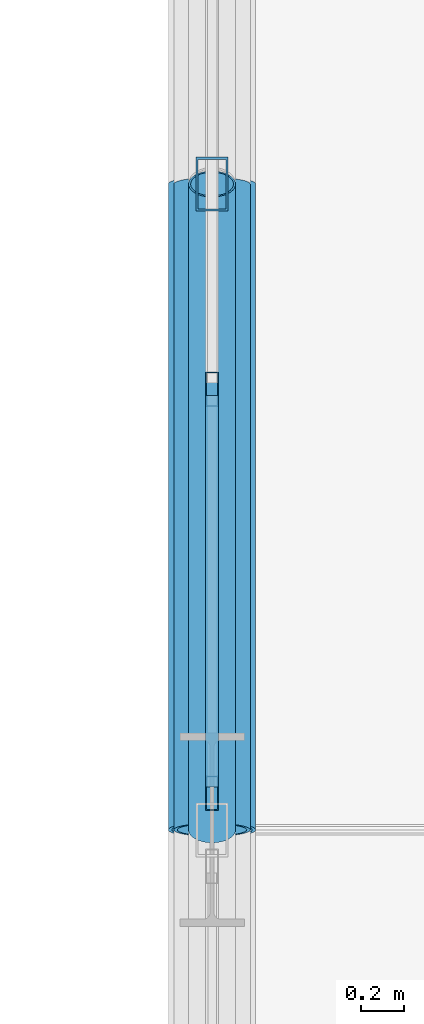
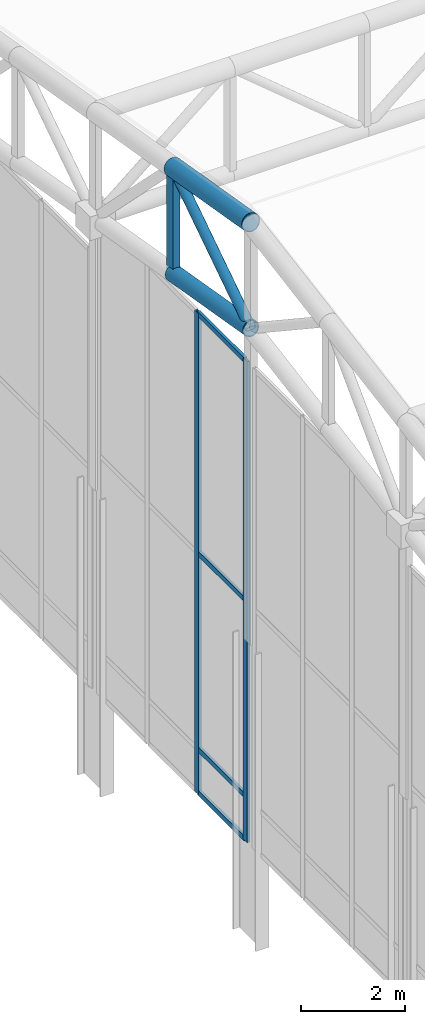
# One storey, part 85 of 239: 10 members, 1 element without a shape of its own.
"""IFC4 building model written with IfcOpenShell, lengths in metres."""

import ifcopenshell
import ifcopenshell.guid

model = None  # the IFC model being written
_history = None  # IfcOwnerHistory: only IFC2X3 demands one
_inside = {}  # id of a spatial element -> (the spatial element, [elements in it])
_under = {}  # id of a project, library or spatial element -> (it, [spatial elements below it])
_declared = {}  # id of a project -> (the project, [libraries it declares])
_typed = {}  # id of a type object -> (the type object, [elements of that type])
_made_of = {}  # id of a material, layer set ... -> (it, [elements and type objects made of it])


def new_model(schema):
    """Start an empty IFC model of exactly this schema.

    Asked for "IFC4X3", IfcOpenShell would pick the latest addendum, in which some entities
    have other attributes; the version numbers below select the first issue.
    IFC2X3 requires an IfcOwnerHistory on every rooted entity: one is made here for all.
    """
    global model, _history
    if schema == "IFC4X3":
        model = ifcopenshell.file(schema_version=(4, 3, 0, 0))
    else:
        model = ifcopenshell.file(schema=schema)
    _inside.clear()
    _under.clear()
    _declared.clear()
    _typed.clear()
    _made_of.clear()
    _history = None
    if model.schema == "IFC2X3":
        org = make("IfcOrganization", Name="unknown")
        user = make(
            "IfcPersonAndOrganization",
            ThePerson=make("IfcPerson", FamilyName="unknown"),
            TheOrganization=org,
        )
        app = make(
            "IfcApplication",
            ApplicationDeveloper=org,
            Version="unknown",
            ApplicationFullName="unknown",
            ApplicationIdentifier="unknown",
        )
        _history = make(
            "IfcOwnerHistory",
            OwningUser=user,
            OwningApplication=app,
            ChangeAction="ADDED",
            CreationDate=0,
        )
    return model


def make(cls, **values):
    """One entity of the class cls with the attributes given. An attribute that is None is left unset."""
    return model.create_entity(
        cls, **{name: value for name, value in values.items() if value is not None}
    )


def rooted(cls, **values):
    """An entity with a GlobalId (a new one), such as an element, a storey or a relation."""
    return make(cls, GlobalId=ifcopenshell.guid.new(), OwnerHistory=_history, **values)


def si_unit(unit_type, name, prefix=None):
    """IfcSIUnit, for example si_unit("LENGTHUNIT", "METRE", prefix="MILLI")."""
    return make("IfcSIUnit", UnitType=unit_type, Prefix=prefix, Name=name)


def assignment(units):
    """IfcUnitAssignment: the units of a project."""
    return None if units is None else make("IfcUnitAssignment", Units=units)


def point(xyz):
    """IfcCartesianPoint."""
    return None if xyz is None else make("IfcCartesianPoint", Coordinates=xyz)


def direction(xyz):
    """IfcDirection."""
    return None if xyz is None else make("IfcDirection", DirectionRatios=xyz)


def frame(location, z_axis=None, x_axis=None):
    """IfcAxis2Placement3D, a coordinate frame: its origin and axes. An axis left out is left unset."""
    return make(
        "IfcAxis2Placement3D",
        Location=point(location),
        Axis=direction(z_axis),
        RefDirection=direction(x_axis),
    )


def frame_2d(location, x_axis=None):
    """IfcAxis2Placement2D, a coordinate frame in the plane: its origin and x axis."""
    return make(
        "IfcAxis2Placement2D", Location=point(location), RefDirection=direction(x_axis)
    )


def origin():
    """The frame at (0, 0, 0) with its axes left unset."""
    return frame((0.0, 0.0, 0.0))


def origin_2d():
    """The frame at (0, 0) in the plane with its x axis left unset."""
    return frame_2d((0.0, 0.0))


def place(relative_to, where):
    """IfcLocalPlacement: puts the frame where relative to a parent placement (None: the world)."""
    return make(
        "IfcLocalPlacement", PlacementRelTo=relative_to, RelativePlacement=where
    )


def context(
    kind, dimensions, precision=None, world=None, true_north=None, identifier=None
):
    """IfcGeometricRepresentationContext, for example the 3D "Model" context."""
    return make(
        "IfcGeometricRepresentationContext",
        ContextIdentifier=identifier,
        ContextType=kind,
        CoordinateSpaceDimension=dimensions,
        Precision=precision,
        WorldCoordinateSystem=world,
        TrueNorth=true_north,
    )


def subcontext(parent, identifier, kind, view, scale=None):
    """IfcGeometricRepresentationSubContext, for example "Body" below "Model"."""
    return make(
        "IfcGeometricRepresentationSubContext",
        ContextIdentifier=identifier,
        ContextType=kind,
        ParentContext=parent,
        TargetScale=scale,
        TargetView=view,
    )


def project(units=None, contexts=None):
    """IfcProject with its units and contexts."""
    return rooted(
        "IfcProject",
        Name="project",
        RepresentationContexts=contexts,
        UnitsInContext=assignment(units),
    )


def spatial(cls, under=None, at=None, **own):
    """A site, building, storey or space (cls), placed at a placement, below another one or the project."""
    s = rooted(cls, ObjectPlacement=at, **own)
    if under is not None:
        _under.setdefault(under.id(), (under, []))[1].append(s)
    return s


def profile(cls, at=None, kind="AREA", **sizes):
    """A parametric profile (cls). Its sizes go by their IFC names, for example OverallWidth=200.0."""
    return make(cls, ProfileType=kind, Position=at, **sizes)


def hollow_rectangle(**sizes):
    """IfcRectangleHollowProfileDef."""
    return profile("IfcRectangleHollowProfileDef", **sizes)


def hollow_circle(**sizes):
    """IfcCircleHollowProfileDef."""
    return profile("IfcCircleHollowProfileDef", **sizes)


def extrude(swept, where, along, depth):
    """IfcExtrudedAreaSolid: the profile swept, set in the frame where, extruded along a direction by depth."""
    return make(
        "IfcExtrudedAreaSolid",
        SweptArea=swept,
        Position=where,
        ExtrudedDirection=direction(along),
        Depth=depth,
    )


def shape(context_of_items, identifier, shape_type, items):
    """IfcShapeRepresentation: the items that make up one representation, for example the "Body"."""
    return make(
        "IfcShapeRepresentation",
        ContextOfItems=context_of_items,
        RepresentationIdentifier=identifier,
        RepresentationType=shape_type,
        Items=items,
    )


def material(Name=None, Category=None):
    """IfcMaterial."""
    return make("IfcMaterial", Name=Name, Category=Category)


def material_profile(
    of_material, cross_section, Name=None, Category=None, Priority=None
):
    """IfcMaterialProfile: a cross section and its material."""
    return make(
        "IfcMaterialProfile",
        Name=Name,
        Material=of_material,
        Profile=cross_section,
        Priority=Priority,
        Category=Category,
    )


def profile_set(profiles, Name=None, composite=None):
    """IfcMaterialProfileSet."""
    return make(
        "IfcMaterialProfileSet",
        Name=Name,
        MaterialProfiles=profiles,
        CompositeProfile=composite,
    )


def made_of(thing, what):
    """Note that an element or type object is made of a material, layer set ...; save() writes the relation."""
    if what is not None:
        _made_of.setdefault(what.id(), (what, []))[1].append(thing)
    return thing


def type_object(cls, material=None, **own):
    """A type object (cls), such as IfcWallType, which elements share."""
    return made_of(rooted(cls, **own), material)


def element(
    cls,
    number,
    at=None,
    inside=None,
    cuts=None,
    type_object=None,
    material=None,
    context=None,
    identifier="Body",
    shape_type=None,
    held_by="IfcProductDefinitionShape",
    body=None,
    shapes=None,
    **own,
):
    """One element of the class cls, such as IfcWall. Its Tag is "e" and its number.

    at: its placement. inside: the storey or other place that contains it. cuts: it is an
    opening in that element (IfcRelVoidsElement). A single representation is given by context,
    identifier, shape_type and body (its items); several are given by shapes. held_by: the class
    of the entity that holds the representations. save() writes the other relations.
    """
    e = rooted(cls, Tag="e%d" % number, ObjectPlacement=at, **own)
    if body is not None:
        shapes = [shape(context, identifier, shape_type, body)]
    if shapes is not None:
        e.Representation = make(held_by, Representations=shapes)
    if inside is not None:
        _inside.setdefault(inside.id(), (inside, []))[1].append(e)
    if cuts is not None:
        rooted(
            "IfcRelVoidsElement", RelatingBuildingElement=cuts, RelatedOpeningElement=e
        )
    if type_object is not None:
        _typed.setdefault(type_object.id(), (type_object, []))[1].append(e)
    return made_of(e, material)


def aggregate(whole, parts):
    """IfcRelAggregates: a whole, such as a stair, and the parts it consists of."""
    return rooted("IfcRelAggregates", RelatingObject=whole, RelatedObjects=parts)


def save(model, path):
    """Write the relations noted so far, then the file.

    IfcRelAggregates (storeys below a building ...), IfcRelContainedInSpatialStructure (elements
    in a storey), IfcRelDefinesByType, IfcRelAssociatesMaterial and IfcRelDeclares: one each for
    every whole, place, type object, material and project.
    """
    for whole, parts in _under.values():
        aggregate(whole, parts)
    for where, things in _inside.values():
        rooted(
            "IfcRelContainedInSpatialStructure",
            RelatedElements=things,
            RelatingStructure=where,
        )
    for kind, things in _typed.values():
        rooted("IfcRelDefinesByType", RelatedObjects=things, RelatingType=kind)
    for what, things in _made_of.values():
        rooted("IfcRelAssociatesMaterial", RelatedObjects=things, RelatingMaterial=what)
    for by, libraries in _declared.values():
        rooted("IfcRelDeclares", RelatingContext=by, RelatedDefinitions=libraries)
    model.write(path)


model = new_model("IFC4")

# Units and contexts
model_context = context("Model", 3, precision=1e-05, world=origin(), true_north=direction((0.0, 1.0)))
body_context = subcontext(model_context, "Body", "Model", "MODEL_VIEW")
ifc_project = project(units=[si_unit("LENGTHUNIT", "METRE"), si_unit("AREAUNIT", "SQUARE_METRE"), si_unit("VOLUMEUNIT", "CUBIC_METRE"), si_unit("PLANEANGLEUNIT", "RADIAN"), si_unit("MASSUNIT", "GRAM", prefix="KILO")], contexts=[model_context])

# Site, building, storey
site_placement = place(None, origin())
site = spatial("IfcSite", under=ifc_project, at=site_placement, CompositionType="ELEMENT")
building_placement = place(site_placement, origin())
building = spatial("IfcBuilding", under=site, at=building_placement, Name="Kaldris Quays Convention Centre", CompositionType="ELEMENT")
storey_placement = place(building_placement, frame((0.0, 0.0, 11.39990234375)))
storey = spatial("IfcBuildingStorey", under=building, at=storey_placement, Name="L02", CompositionType="ELEMENT", Elevation=11.39990234375)

# Curtain wall, members
ifc_material_1 = material(Name="Anodized aluminium AW-6060 and triple glazing", Category="aluminium")
curtain_wall_type = type_object("IfcCurtainWallType", Name="UNITISED CURTAIN WALL CW03", PredefinedType="NOTDEFINED", material=ifc_material_1)
curtain_wall_placement = place(storey_placement, origin())
curtain_wall = element("IfcCurtainWall", 1, at=curtain_wall_placement, inside=storey, type_object=curtain_wall_type, Name="L02 Unitised Curtain Wall CW03 220", PredefinedType="NOTDEFINED")
ifc_material_2 = material(Name="Anodized aluminium AW-6060", Category="aluminium")
ifc_material_profile_1 = material_profile(ifc_material_2, hollow_rectangle(XDim=0.06005859375, YDim=0.159912109375, WallThickness=0.00390625, at=origin_2d()), Name="RHS 160x60x4")
ifc_profile_set_1 = profile_set([ifc_material_profile_1], Name="Anodized aluminium AW-6060")
member_type_1 = type_object("IfcMemberType", Name="CURTAIN MULLION CWM1", PredefinedType="MULLION", material=ifc_profile_set_1)
member_1_placement = place(storey_placement, frame((20.0, 98.169921875, 2.195068359375), z_axis=(0.0, 0.0, 1.0), x_axis=(-1.0, 0.0, 0.0)))
member_1 = element("IfcMember", 2, at=member_1_placement, type_object=member_type_1, Name="CW03 mullion 1", PredefinedType="MULLION", context=body_context, shape_type="SweptSolid", body=[
    extrude(hollow_rectangle(XDim=0.06005859375, YDim=0.159912109375, WallThickness=0.00390625, at=origin_2d()), origin(), (0.0, 0.0, 1.0), 11.341064453125),
])
member_2_placement = place(storey_placement, frame((20.0, 100.046630859375, 2.195068359375), z_axis=(0.0, 0.0, 1.0), x_axis=(-1.0, 0.0, 0.0)))
member_2 = element("IfcMember", 3, at=member_2_placement, type_object=member_type_1, Name="CW03 mullion 2", PredefinedType="MULLION", context=body_context, shape_type="SweptSolid", body=[
    extrude(hollow_rectangle(XDim=0.06005859375, YDim=0.159912109375, WallThickness=0.00390625, at=origin_2d()), origin(), (0.0, 0.0, 1.0), 11.341064453125),
])
ifc_material_profile_2 = material_profile(ifc_material_2, hollow_rectangle(XDim=0.06005859375, YDim=0.1201171875, WallThickness=0.00390625, at=origin_2d()), Name="RHS 120x60x4")
ifc_profile_set_2 = profile_set([ifc_material_profile_2], Name="Anodized aluminium AW-6060")
member_type_2 = type_object("IfcMemberType", Name="CURTAIN TRANSOM CWT1", PredefinedType="USERDEFINED", material=ifc_profile_set_2)
member_3_placement = place(storey_placement, frame((20.0, 98.199951171875, 2.22509765625), z_axis=(0.0, 1.0, 0.0), x_axis=(-1.0, 0.0, 0.0)))
member_3 = element("IfcMember", 4, at=member_3_placement, type_object=member_type_2, Name="CW03 transom 1.1", ObjectType="TRANSOM", PredefinedType="USERDEFINED", context=body_context, shape_type="SweptSolid", body=[
    extrude(hollow_rectangle(XDim=0.06005859375, YDim=0.1201171875, WallThickness=0.00390625, at=origin_2d()), origin(), (0.0, 0.0, 1.0), 1.816650390625),
])
member_4_placement = place(storey_placement, frame((20.0, 98.199951171875, 3.2451171875), z_axis=(0.0, 1.0, 0.0), x_axis=(-1.0, 0.0, 0.0)))
member_4 = element("IfcMember", 5, at=member_4_placement, type_object=member_type_2, Name="CW03 transom 1.2", ObjectType="TRANSOM", PredefinedType="USERDEFINED", context=body_context, shape_type="SweptSolid", body=[
    extrude(hollow_rectangle(XDim=0.06005859375, YDim=0.1201171875, WallThickness=0.00390625, at=origin_2d()), origin(), (0.0, 0.0, 1.0), 1.816650390625),
])
member_5_placement = place(storey_placement, frame((20.0, 98.199951171875, 7.864990234375), z_axis=(0.0, 1.0, 0.0), x_axis=(-1.0, 0.0, 0.0)))
member_5 = element("IfcMember", 6, at=member_5_placement, type_object=member_type_2, Name="CW03 transom 1.3", ObjectType="TRANSOM", PredefinedType="USERDEFINED", context=body_context, shape_type="SweptSolid", body=[
    extrude(hollow_rectangle(XDim=0.06005859375, YDim=0.1201171875, WallThickness=0.00390625, at=origin_2d()), origin(), (0.0, 0.0, 1.0), 1.816650390625),
])
member_6_placement = place(storey_placement, frame((20.0, 98.199951171875, 13.506103515625), z_axis=(0.0, 1.0, 0.0), x_axis=(-1.0, 0.0, 0.0)))
member_6 = element("IfcMember", 7, at=member_6_placement, type_object=member_type_2, Name="CW03 transom 1.4", ObjectType="TRANSOM", PredefinedType="USERDEFINED", context=body_context, shape_type="SweptSolid", body=[
    extrude(hollow_rectangle(XDim=0.06005859375, YDim=0.1201171875, WallThickness=0.00390625, at=origin_2d()), origin(), (0.0, 0.0, 1.0), 1.816650390625),
])
aggregate(curtain_wall, [member_1, member_2, member_3, member_4, member_5, member_6])

# Members
ifc_material_3 = material(Name="Steel S355J2H", Category="steel")
ifc_material_profile_3 = material_profile(ifc_material_3, hollow_circle(Radius=0.203125, WallThickness=0.01611328125, at=origin_2d()), Name="CHS 406.4x16")
ifc_profile_set_3 = profile_set([ifc_material_profile_3], Name="Steel S355J2H")
member_type_3 = type_object("IfcMemberType", Name="STRUCTURAL MEMBER SC01", PredefinedType="CHORD", material=ifc_profile_set_3)
member_7_placement = place(storey_placement, frame((20.0, 98.0, 16.871826171875), z_axis=(0.0, 0.98562912375, -0.168923741424), x_axis=(-1.0, 0.0, 0.0)))
element("IfcMember", 8, at=member_7_placement, inside=storey, type_object=member_type_3, Name="SF-V1 Top Chord Y 351", PredefinedType="CHORD", context=body_context, shape_type="SweptSolid", body=[
    extrude(hollow_circle(Radius=0.203125, WallThickness=0.01611328125, at=origin_2d()), origin(), (0.0, 0.0, 1.0), 3.043701171875),
])
ifc_material_profile_4 = material_profile(ifc_material_3, hollow_circle(Radius=0.177734375, WallThickness=0.01611328125, at=origin_2d()), Name="CHS 355.6x16")
ifc_profile_set_4 = profile_set([ifc_material_profile_4], Name="Steel S355J2H")
member_type_4 = type_object("IfcMemberType", Name="STRUCTURAL MEMBER SC02", PredefinedType="CHORD", material=ifc_profile_set_4)
member_8_placement = place(storey_placement, frame((20.0, 98.0, 14.371826171875), z_axis=(0.0, 0.98562912375, -0.168923741424), x_axis=(-1.0, 0.0, 0.0)))
element("IfcMember", 9, at=member_8_placement, inside=storey, type_object=member_type_4, Name="SF-V1 Bottom Chord Y 351", PredefinedType="CHORD", context=body_context, shape_type="SweptSolid", body=[
    extrude(hollow_circle(Radius=0.177734375, WallThickness=0.01611328125, at=origin_2d()), origin(), (0.0, 0.0, 1.0), 3.043701171875),
])
ifc_material_profile_5 = material_profile(ifc_material_3, hollow_circle(Radius=0.109619140625, WallThickness=0.010009765625, at=origin_2d()), Name="CHS 219.1x10")
ifc_profile_set_5 = profile_set([ifc_material_profile_5], Name="Steel S355J2H")
member_type_5 = type_object("IfcMemberType", Name="STRUCTURAL MEMBER SWB1", PredefinedType="BRACE", material=ifc_profile_set_5)
member_9_placement = place(storey_placement, frame((20.0, 98.0, 14.371826171875), z_axis=(0.0, 0.833862389808, 0.551972385962), x_axis=(-1.0, 0.0, 0.0)))
element("IfcMember", 10, at=member_9_placement, inside=storey, type_object=member_type_5, Name="SF-V1 Web Diagonal Y 351", PredefinedType="BRACE", context=body_context, shape_type="SweptSolid", body=[
    extrude(hollow_circle(Radius=0.109619140625, WallThickness=0.010009765625, at=origin_2d()), origin(), (0.0, 0.0, 1.0), 3.59765625),
])
ifc_material_profile_6 = material_profile(ifc_material_3, hollow_rectangle(XDim=0.14990234375, YDim=0.25, WallThickness=0.010009765625, at=origin_2d()), Name="RHS 250x150x10")
ifc_profile_set_6 = profile_set([ifc_material_profile_6], Name="Steel S355J2H")
member_type_6 = type_object("IfcMemberType", Name="STRUCTURAL MEMBER TTV1", PredefinedType="POST", material=ifc_profile_set_6)
member_10_placement = place(storey_placement, frame((20.0, 101.0, 13.857666015625), z_axis=(0.0, 0.0, 1.0), x_axis=(1.0, 0.0, 0.0)))
element("IfcMember", 11, at=member_10_placement, inside=storey, type_object=member_type_6, Name="SF-V1 Space-Frame Post 16", PredefinedType="POST", context=body_context, shape_type="SweptSolid", body=[
    extrude(hollow_rectangle(XDim=0.14990234375, YDim=0.25, WallThickness=0.010009765625, at=origin_2d()), origin(), (0.0, 0.0, 1.0), 2.5),
])

save(model, "model.ifc")
